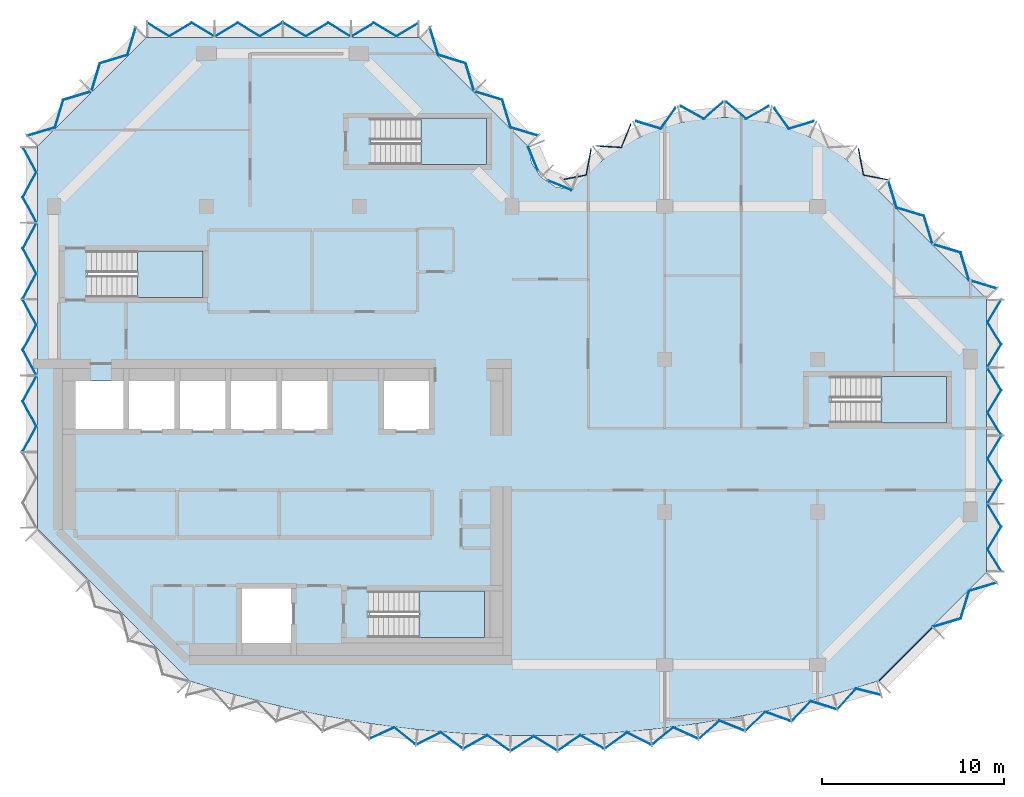
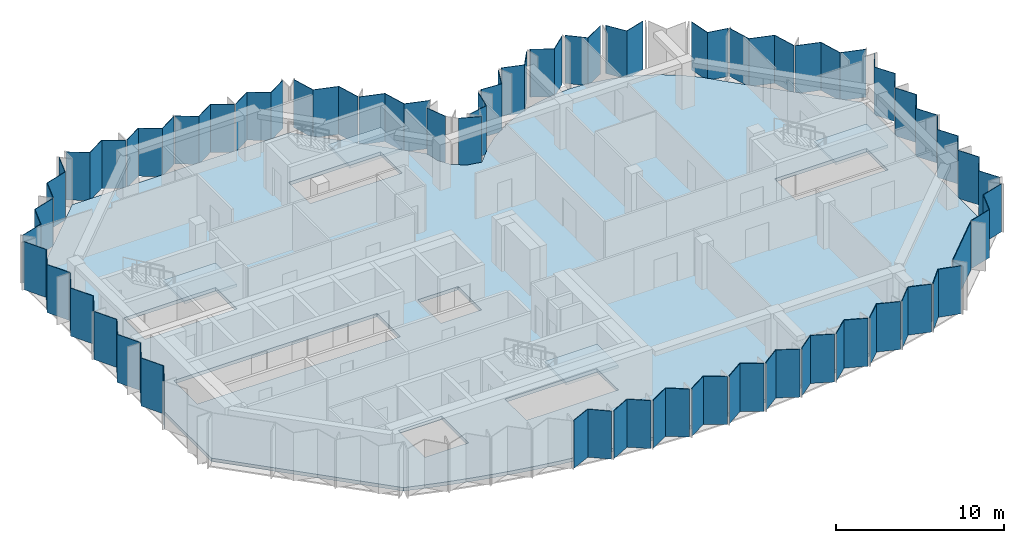
# One storey, part 3 of 10: 40 plates, 5 slabs, 14 elements without a shape of their own.
"""IFC4 building model written with IfcOpenShell, lengths in metres."""

from ifc_helpers import new_model, si_unit, direction, frame, origin, place, context, subcontext, project, spatial, polyline, outline, extrude, material, layer, layer_set, type_object, element, aggregate, save


model = new_model("IFC4")

# Units and contexts
model_context = context("Model", 3, precision=1e-05, world=origin(), true_north=direction((0.0, 1.0)))
body_context = subcontext(model_context, "Body", "Model", "MODEL_VIEW")
ifc_project = project(units=[si_unit("LENGTHUNIT", "METRE"), si_unit("AREAUNIT", "SQUARE_METRE"), si_unit("VOLUMEUNIT", "CUBIC_METRE"), si_unit("PLANEANGLEUNIT", "RADIAN"), si_unit("MASSUNIT", "GRAM", prefix="KILO")], contexts=[model_context])

# Site, building, storey
site_placement = place(None, origin())
site = spatial("IfcSite", under=ifc_project, at=site_placement, CompositionType="ELEMENT")
building_placement = place(site_placement, origin())
building = spatial("IfcBuilding", under=site, at=building_placement, Name="Brevane Broadcast Tower", CompositionType="ELEMENT")
storey_placement = place(building_placement, frame((0.0, 0.0, 230.10009765625)))
storey = spatial("IfcBuildingStorey", under=building, at=storey_placement, Name="L58", CompositionType="ELEMENT", Elevation=230.10009765625)

# Curtain wall, plates
ifc_material_1 = material(Name="Aluminium 6063-T6 bronze anodised", Category="aluminium")
curtain_wall_type = type_object("IfcCurtainWallType", Name="CW-1 curtain wall", PredefinedType="NOTDEFINED", material=ifc_material_1)
curtain_wall_1_placement = place(storey_placement, origin())
curtain_wall_1 = element("IfcCurtainWall", 1, at=curtain_wall_1_placement, inside=storey, type_object=curtain_wall_type, Name="CW-1 typical tilted unit L58 south bow", PredefinedType="NOTDEFINED")
ifc_material_2 = material(Name="Laminated glass bronze-tinted", Category="glass")
ifc_layer_1 = layer(ifc_material_2, 0.0400390625)
ifc_layer_set_1 = layer_set([ifc_layer_1], Name="CW tall glass panel 40")
plate_type = type_object("IfcPlateType", Name="CW tall glass panel 40", PredefinedType="CURTAIN_PANEL", material=ifc_layer_set_1)
plate_1_placement = place(storey_placement, frame((0.0, 0.0, -0.150146484375)))
plate_1 = element("IfcPlate", 2, at=plate_1_placement, type_object=plate_type, Name="CW-1 glass panel", PredefinedType="CURTAIN_PANEL", context=body_context, shape_type="SweptSolid", body=[
    extrude(outline(polyline([(17.424072265625, -4.021728515625), (17.4169921875, -4.06884765625), (18.72705078125, -3.47265625), (19.8466796875, -4.37451171875), (19.851806640625, -4.3271484375), (18.73291015625, -3.426025390625), (17.424072265625, -4.021728515625)])), origin(), (0.0, 0.0, 1.0), 3.5),
])
plate_2_placement = place(storey_placement, frame((0.0, 0.0, -0.150146484375)))
plate_2 = element("IfcPlate", 3, at=plate_2_placement, type_object=plate_type, Name="CW-1 glass panel", PredefinedType="CURTAIN_PANEL", context=body_context, shape_type="SweptSolid", body=[
    extrude(outline(polyline([(19.998046875, -4.3466796875), (19.992919921875, -4.39404296875), (21.27734375, -3.741943359375), (22.43359375, -4.594482421875), (22.4365234375, -4.547119140625), (21.28125, -3.695068359375), (19.998046875, -4.3466796875)])), origin(), (0.0, 0.0, 1.0), 3.5),
])
plate_3_placement = place(storey_placement, frame((0.0, 0.0, -0.150146484375)))
plate_3 = element("IfcPlate", 4, at=plate_3_placement, type_object=plate_type, Name="CW-1 glass panel", PredefinedType="CURTAIN_PANEL", context=body_context, shape_type="SweptSolid", body=[
    extrude(outline(polyline([(22.58349609375, -4.563720703125), (22.580322265625, -4.611083984375), (23.836669921875, -3.904541015625), (25.02783203125, -4.706787109375), (25.02880859375, -4.6591796875), (23.83837890625, -3.857666015625), (22.58349609375, -4.563720703125)])), origin(), (0.0, 0.0, 1.0), 3.5),
])
plate_4_placement = place(storey_placement, frame((0.0, 0.0, -0.150146484375)))
plate_4 = element("IfcPlate", 5, at=plate_4_placement, type_object=plate_type, Name="CW-1 glass panel", PredefinedType="CURTAIN_PANEL", context=body_context, shape_type="SweptSolid", body=[
    extrude(outline(polyline([(25.176025390625, -4.67236328125), (25.175048828125, -4.719970703125), (26.4052734375, -3.958984375), (27.634033203125, -4.70849609375), (27.633056640625, -4.6611328125), (26.4052734375, -3.912109375), (25.176025390625, -4.67236328125)])), origin(), (0.0, 0.0, 1.0), 3.5),
])
plate_5_placement = place(storey_placement, frame((0.0, 0.0, -0.150146484375)))
plate_5 = element("IfcPlate", 6, at=plate_5_placement, type_object=plate_type, Name="CW-1 glass panel", PredefinedType="CURTAIN_PANEL", context=body_context, shape_type="SweptSolid", body=[
    extrude(outline(polyline([(27.76171875, -4.65966796875), (27.7626953125, -4.70703125), (28.958740234375, -3.90478515625), (30.219482421875, -4.611083984375), (30.216552734375, -4.563720703125), (28.956787109375, -3.85791015625), (27.76171875, -4.65966796875)])), origin(), (0.0, 0.0, 1.0), 3.5),
])
plate_6_placement = place(storey_placement, frame((0.0, 0.0, -0.150146484375)))
plate_6 = element("IfcPlate", 7, at=plate_6_placement, type_object=plate_type, Name="CW-1 glass panel", PredefinedType="CURTAIN_PANEL", context=body_context, shape_type="SweptSolid", body=[
    extrude(outline(polyline([(30.36328125, -4.547119140625), (30.366455078125, -4.594482421875), (31.522705078125, -3.741943359375), (32.806884765625, -4.39404296875), (32.802001953125, -4.3466796875), (31.518798828125, -3.695068359375), (30.36328125, -4.547119140625)])), origin(), (0.0, 0.0, 1.0), 3.5),
])
plate_7_placement = place(storey_placement, frame((0.0, 0.0, -0.150146484375)))
plate_7 = element("IfcPlate", 8, at=plate_7_placement, type_object=plate_type, Name="CW-1 glass panel", PredefinedType="CURTAIN_PANEL", context=body_context, shape_type="SweptSolid", body=[
    extrude(outline(polyline([(32.9482421875, -4.3271484375), (32.953369140625, -4.37451171875), (34.072998046875, -3.47265625), (35.383056640625, -4.06884765625), (35.3759765625, -4.021728515625), (34.067138671875, -3.426025390625), (32.9482421875, -4.3271484375)])), origin(), (0.0, 0.0, 1.0), 3.5),
])
plate_8_placement = place(storey_placement, frame((0.0, 0.0, -0.150146484375)))
plate_8 = element("IfcPlate", 9, at=plate_8_placement, type_object=plate_type, Name="CW-1 glass panel", PredefinedType="CURTAIN_PANEL", context=body_context, shape_type="SweptSolid", body=[
    extrude(outline(polyline([(35.521728515625, -3.99951171875), (35.52880859375, -4.04638671875), (36.60986328125, -3.09716796875), (37.943115234375, -3.63671875), (37.93408203125, -3.58984375), (36.60205078125, -3.05078125), (35.521728515625, -3.99951171875)])), origin(), (0.0, 0.0, 1.0), 3.5),
])
plate_9_placement = place(storey_placement, frame((0.0, 0.0, -0.150146484375)))
plate_9 = element("IfcPlate", 10, at=plate_9_placement, type_object=plate_type, Name="CW-1 glass panel", PredefinedType="CURTAIN_PANEL", context=body_context, shape_type="SweptSolid", body=[
    extrude(outline(polyline([(38.07958984375, -3.564453125), (38.08837890625, -3.611328125), (39.128662109375, -2.615966796875), (40.48291015625, -3.09765625), (40.471923828125, -3.051513671875), (39.118896484375, -2.570068359375), (38.07958984375, -3.564453125)])), origin(), (0.0, 0.0, 1.0), 3.5),
])
plate_10_placement = place(storey_placement, frame((0.0, 0.0, -0.150146484375)))
plate_10 = element("IfcPlate", 11, at=plate_10_placement, type_object=plate_type, Name="CW-1 glass panel", PredefinedType="CURTAIN_PANEL", context=body_context, shape_type="SweptSolid", body=[
    extrude(outline(polyline([(40.61669921875, -3.023193359375), (40.627685546875, -3.069580078125), (41.62548828125, -2.030029296875), (42.997802734375, -2.453369140625), (42.985107421875, -2.407470703125), (41.613525390625, -1.984619140625), (40.61669921875, -3.023193359375)])), origin(), (0.0, 0.0, 1.0), 3.5),
])
plate_11_placement = place(storey_placement, frame((0.0, 0.0, -0.150146484375)))
plate_11 = element("IfcPlate", 12, at=plate_11_placement, type_object=plate_type, Name="CW-1 glass panel", PredefinedType="CURTAIN_PANEL", context=body_context, shape_type="SweptSolid", body=[
    extrude(outline(polyline([(43.12939453125, -2.376220703125), (43.14208984375, -2.421875), (44.114013671875, -1.334716796875), (45.501220703125, -1.68798828125), (45.48779296875, -1.643310546875), (44.100341796875, -1.289794921875), (43.12939453125, -2.376220703125)])), origin(), (0.0, 0.0, 1.0), 3.5),
])
aggregate(curtain_wall_1, [plate_1, plate_2, plate_3, plate_4, plate_5, plate_6, plate_7, plate_8, plate_9, plate_10, plate_11])

curtain_wall_2_placement = place(storey_placement, origin())
curtain_wall_2 = element("IfcCurtainWall", 13, at=curtain_wall_2_placement, inside=storey, type_object=curtain_wall_type, Name="CW-1 typical tilted unit L58 south-east chamfer", PredefinedType="NOTDEFINED")
plate_12_placement = place(storey_placement, frame((0.0, 0.0, -0.150146484375)))
plate_12 = element("IfcPlate", 14, at=plate_12_placement, type_object=plate_type, Name="CW-1 glass panel", PredefinedType="CURTAIN_PANEL", context=body_context, shape_type="SweptSolid", body=[
    extrude(outline(polyline([(45.345947265625, -0.896484375), (48.29638671875, 2.053955078125), (48.32470703125, 2.02587890625), (45.374267578125, -0.9248046875), (45.345947265625, -0.896484375)])), origin(), (0.0, 0.0, 1.0), 3.5),
])
plate_13_placement = place(storey_placement, frame((0.0, 0.0, -0.150146484375)))
plate_13 = element("IfcPlate", 15, at=plate_13_placement, type_object=plate_type, Name="CW-1 glass panel", PredefinedType="CURTAIN_PANEL", context=body_context, shape_type="SweptSolid", body=[
    extrude(outline(polyline([(48.343994140625, 2.10546875), (48.376220703125, 2.073486328125), (49.885986328125, 2.530517578125), (50.343017578125, 4.040283203125), (51.85302734375, 4.49755859375), (51.82080078125, 4.529541015625), (50.31103515625, 4.072509765625), (49.85400390625, 2.5625), (48.343994140625, 2.10546875)])), origin(), (0.0, 0.0, 1.0), 3.5),
])
aggregate(curtain_wall_2, [plate_12, plate_13])

curtain_wall_3_placement = place(storey_placement, origin())
curtain_wall_3 = element("IfcCurtainWall", 16, at=curtain_wall_3_placement, inside=storey, type_object=curtain_wall_type, Name="CW-1 typical tilted unit L58 east end", PredefinedType="NOTDEFINED")
plate_14_placement = place(storey_placement, frame((0.0, 0.0, -0.150146484375)))
plate_14 = element("IfcPlate", 17, at=plate_14_placement, type_object=plate_type, Name="CW-1 glass panel", PredefinedType="CURTAIN_PANEL", context=body_context, shape_type="SweptSolid", body=[
    extrude(outline(polyline([(52.071044921875, 5.135009765625), (52.117919921875, 5.135009765625), (51.373291015625, 6.36181640625), (52.117919921875, 7.58837890625), (51.373291015625, 8.81494140625), (51.32666015625, 8.81494140625), (52.071044921875, 7.58837890625), (51.32666015625, 6.36181640625), (52.071044921875, 5.135009765625)])), origin(), (0.0, 0.0, 1.0), 3.5),
])
plate_15_placement = place(storey_placement, frame((0.0, 0.0, -0.150146484375)))
plate_15 = element("IfcPlate", 18, at=plate_15_placement, type_object=plate_type, Name="CW-1 glass panel", PredefinedType="CURTAIN_PANEL", context=body_context, shape_type="SweptSolid", body=[
    extrude(outline(polyline([(51.32666015625, 8.885009765625), (51.373291015625, 8.885009765625), (52.117919921875, 10.11181640625), (51.373291015625, 11.33837890625), (52.117919921875, 12.56494140625), (52.071044921875, 12.56494140625), (51.32666015625, 11.33837890625), (52.071044921875, 10.11181640625), (51.32666015625, 8.885009765625)])), origin(), (0.0, 0.0, 1.0), 3.5),
])
plate_16_placement = place(storey_placement, frame((0.0, 0.0, -0.150146484375)))
plate_16 = element("IfcPlate", 19, at=plate_16_placement, type_object=plate_type, Name="CW-1 glass panel", PredefinedType="CURTAIN_PANEL", context=body_context, shape_type="SweptSolid", body=[
    extrude(outline(polyline([(52.071044921875, 12.635009765625), (52.117919921875, 12.635009765625), (51.373291015625, 13.86181640625), (52.117919921875, 15.08837890625), (51.373291015625, 16.31494140625), (51.32666015625, 16.31494140625), (52.071044921875, 15.08837890625), (51.32666015625, 13.86181640625), (52.071044921875, 12.635009765625)])), origin(), (0.0, 0.0, 1.0), 3.5),
])
plate_17_placement = place(storey_placement, frame((0.0, 0.0, -0.150146484375)))
plate_17 = element("IfcPlate", 20, at=plate_17_placement, type_object=plate_type, Name="CW-1 glass panel", PredefinedType="CURTAIN_PANEL", context=body_context, shape_type="SweptSolid", body=[
    extrude(outline(polyline([(51.32666015625, 16.385009765625), (51.373291015625, 16.385009765625), (52.117919921875, 17.61181640625), (51.373291015625, 18.83837890625), (52.117919921875, 20.06494140625), (52.071044921875, 20.06494140625), (51.32666015625, 18.83837890625), (52.071044921875, 17.61181640625), (51.32666015625, 16.385009765625)])), origin(), (0.0, 0.0, 1.0), 3.5),
])
aggregate(curtain_wall_3, [plate_14, plate_15, plate_16, plate_17])

curtain_wall_4_placement = place(storey_placement, origin())
curtain_wall_4 = element("IfcCurtainWall", 21, at=curtain_wall_4_placement, inside=storey, type_object=curtain_wall_type, Name="CW-1 typical tilted unit L58 north-east chamfer", PredefinedType="NOTDEFINED")
plate_18_placement = place(storey_placement, frame((0.0, 0.0, -0.150146484375)))
plate_18 = element("IfcPlate", 22, at=plate_18_placement, type_object=plate_type, Name="CW-1 glass panel", PredefinedType="CURTAIN_PANEL", context=body_context, shape_type="SweptSolid", body=[
    extrude(outline(polyline([(51.82080078125, 20.67041015625), (51.85302734375, 20.702392578125), (50.343017578125, 21.15966796875), (49.885986328125, 22.66943359375), (48.376220703125, 23.126708984375), (48.343994140625, 23.094482421875), (49.85400390625, 22.637451171875), (50.31103515625, 21.127685546875), (51.82080078125, 20.67041015625)])), origin(), (0.0, 0.0, 1.0), 3.5),
])
plate_19_placement = place(storey_placement, frame((0.0, 0.0, -0.150146484375)))
plate_19 = element("IfcPlate", 23, at=plate_19_placement, type_object=plate_type, Name="CW-1 glass panel", PredefinedType="CURTAIN_PANEL", context=body_context, shape_type="SweptSolid", body=[
    extrude(outline(polyline([(48.294677734375, 23.14404296875), (48.32666015625, 23.176025390625), (47.869384765625, 24.68603515625), (46.359619140625, 25.14306640625), (45.902587890625, 26.653076171875), (45.870361328125, 26.620849609375), (46.32763671875, 25.111083984375), (47.83740234375, 24.65380859375), (48.294677734375, 23.14404296875)])), origin(), (0.0, 0.0, 1.0), 3.5),
])
aggregate(curtain_wall_4, [plate_18, plate_19])

curtain_wall_5_placement = place(storey_placement, origin())
curtain_wall_5 = element("IfcCurtainWall", 24, at=curtain_wall_5_placement, inside=storey, type_object=curtain_wall_type, Name="CW-1 typical tilted unit L58 east bow", PredefinedType="NOTDEFINED")
plate_20_placement = place(storey_placement, frame((0.0, 0.0, -0.150146484375)))
plate_20 = element("IfcPlate", 25, at=plate_20_placement, type_object=plate_type, Name="CW-1 glass panel", PredefinedType="CURTAIN_PANEL", context=body_context, shape_type="SweptSolid", body=[
    extrude(outline(polyline([(45.79150390625, 26.656005859375), (45.82470703125, 26.690185546875), (44.539306640625, 26.9423828125), (44.263916015625, 28.3857421875), (44.231201171875, 28.34375), (44.5048828125, 26.908203125), (45.79150390625, 26.656005859375)])), origin(), (0.0, 0.0, 1.0), 3.5),
])
plate_21_placement = place(storey_placement, frame((0.0, 0.0, -0.150146484375)))
plate_21 = element("IfcPlate", 26, at=plate_21_placement, type_object=plate_type, Name="CW-1 glass panel", PredefinedType="CURTAIN_PANEL", context=body_context, shape_type="SweptSolid", body=[
    extrude(outline(polyline([(41.75537109375, 29.851806640625), (41.778564453125, 29.900634765625), (40.435546875, 29.494384765625), (39.6328125, 30.622802734375), (39.62060546875, 30.57080078125), (40.41943359375, 29.44775390625), (41.75537109375, 29.851806640625)])), origin(), (0.0, 0.0, 1.0), 3.5),
])
plate_22_placement = place(storey_placement, frame((0.0, 0.0, -0.150146484375)))
plate_22 = element("IfcPlate", 27, at=plate_22_placement, type_object=plate_type, Name="CW-1 glass panel", PredefinedType="CURTAIN_PANEL", context=body_context, shape_type="SweptSolid", body=[
    extrude(outline(polyline([(39.31640625, 30.68798828125), (39.328369140625, 30.740478515625), (38.069580078125, 30.036376953125), (37.008056640625, 30.94921875), (37.008056640625, 30.896484375), (38.064697265625, 29.98779296875), (39.31640625, 30.68798828125)])), origin(), (0.0, 0.0, 1.0), 3.5),
])
plate_23_placement = place(storey_placement, frame((0.0, 0.0, -0.150146484375)))
plate_23 = element("IfcPlate", 28, at=plate_23_placement, type_object=plate_type, Name="CW-1 glass panel", PredefinedType="CURTAIN_PANEL", context=body_context, shape_type="SweptSolid", body=[
    extrude(outline(polyline([(36.7919921875, 30.896484375), (36.7919921875, 30.94921875), (35.730224609375, 30.036376953125), (34.4716796875, 30.740478515625), (34.483642578125, 30.68798828125), (35.735107421875, 29.98779296875), (36.7919921875, 30.896484375)])), origin(), (0.0, 0.0, 1.0), 3.5),
])
plate_24_placement = place(storey_placement, frame((0.0, 0.0, -0.150146484375)))
plate_24 = element("IfcPlate", 29, at=plate_24_placement, type_object=plate_type, Name="CW-1 glass panel", PredefinedType="CURTAIN_PANEL", context=body_context, shape_type="SweptSolid", body=[
    extrude(outline(polyline([(34.17919921875, 30.57080078125), (34.167236328125, 30.622802734375), (33.364501953125, 29.494384765625), (32.021484375, 29.900634765625), (32.044677734375, 29.851806640625), (33.380615234375, 29.44775390625), (34.17919921875, 30.57080078125)])), origin(), (0.0, 0.0, 1.0), 3.5),
])
plate_25_placement = place(storey_placement, frame((0.0, 0.0, -0.150146484375)))
plate_25 = element("IfcPlate", 30, at=plate_25_placement, type_object=plate_type, Name="CW-1 glass panel", PredefinedType="CURTAIN_PANEL", context=body_context, shape_type="SweptSolid", body=[
    extrude(outline(polyline([(31.753173828125, 29.712890625), (31.729736328125, 29.76171875), (31.198486328125, 28.462890625), (29.816650390625, 28.551025390625), (29.849609375, 28.5087890625), (31.224609375, 28.42138671875), (31.753173828125, 29.712890625)])), origin(), (0.0, 0.0, 1.0), 3.5),
])
plate_26_placement = place(storey_placement, frame((0.0, 0.0, -0.150146484375)))
plate_26 = element("IfcPlate", 31, at=plate_26_placement, type_object=plate_type, Name="CW-1 glass panel", PredefinedType="CURTAIN_PANEL", context=body_context, shape_type="SweptSolid", body=[
    extrude(outline(polyline([(29.568603515625, 28.34375), (29.535888671875, 28.3857421875), (29.2607421875, 26.9423828125), (27.975341796875, 26.690185546875), (28.008544921875, 26.656005859375), (29.294921875, 26.908203125), (29.568603515625, 28.34375)])), origin(), (0.0, 0.0, 1.0), 3.5),
])
aggregate(curtain_wall_5, [plate_20, plate_21, plate_22, plate_23, plate_24, plate_25, plate_26])

curtain_wall_6_placement = place(storey_placement, origin())
curtain_wall_6 = element("IfcCurtainWall", 32, at=curtain_wall_6_placement, inside=storey, type_object=curtain_wall_type, Name="CW-1 typical tilted unit L58 inner corner", PredefinedType="NOTDEFINED")
plate_27_placement = place(storey_placement, frame((0.0, 0.0, -0.150146484375)))
plate_27 = element("IfcPlate", 33, at=plate_27_placement, type_object=plate_type, Name="CW-1 glass panel", PredefinedType="CURTAIN_PANEL", context=body_context, shape_type="SweptSolid", body=[
    extrude(outline(polyline([(28.45166015625, 26.07470703125), (28.466796875, 26.111572265625), (27.2021484375, 26.635498046875), (27.17138671875, 26.60498046875), (28.45166015625, 26.07470703125)])), origin(), (0.0, 0.0, 1.0), 3.5),
])
plate_28_placement = place(storey_placement, frame((0.0, 0.0, -0.150146484375)))
plate_28 = element("IfcPlate", 34, at=plate_28_placement, type_object=plate_type, Name="CW-1 glass panel", PredefinedType="CURTAIN_PANEL", context=body_context, shape_type="SweptSolid", body=[
    extrude(outline(polyline([(26.60498046875, 27.17138671875), (26.635498046875, 27.2021484375), (26.111572265625, 28.466796875), (26.07470703125, 28.45166015625), (26.60498046875, 27.17138671875)])), origin(), (0.0, 0.0, 1.0), 3.5),
])
aggregate(curtain_wall_6, [plate_27, plate_28])

curtain_wall_7_placement = place(storey_placement, origin())
curtain_wall_7 = element("IfcCurtainWall", 35, at=curtain_wall_7_placement, inside=storey, type_object=curtain_wall_type, Name="CW-1 typical tilted unit L58 north arm north-east chamfer", PredefinedType="NOTDEFINED")
plate_29_placement = place(storey_placement, frame((0.0, 0.0, -0.150146484375)))
plate_29 = element("IfcPlate", 36, at=plate_29_placement, type_object=plate_type, Name="CW-1 glass panel", PredefinedType="CURTAIN_PANEL", context=body_context, shape_type="SweptSolid", body=[
    extrude(outline(polyline([(26.620849609375, 29.0703125), (26.653076171875, 29.1025390625), (25.14306640625, 29.5595703125), (24.68603515625, 31.069580078125), (23.176025390625, 31.526611328125), (23.14404296875, 31.49462890625), (24.65380859375, 31.037353515625), (25.111083984375, 29.527587890625), (26.620849609375, 29.0703125)])), origin(), (0.0, 0.0, 1.0), 3.5),
])
plate_30_placement = place(storey_placement, frame((0.0, 0.0, -0.150146484375)))
plate_30 = element("IfcPlate", 37, at=plate_30_placement, type_object=plate_type, Name="CW-1 glass panel", PredefinedType="CURTAIN_PANEL", context=body_context, shape_type="SweptSolid", body=[
    extrude(outline(polyline([(23.094482421875, 31.544189453125), (23.126708984375, 31.576171875), (22.66943359375, 33.0859375), (21.15966796875, 33.543212890625), (20.702392578125, 35.052978515625), (20.67041015625, 35.02099609375), (21.127685546875, 33.510986328125), (22.637451171875, 33.053955078125), (23.094482421875, 31.544189453125)])), origin(), (0.0, 0.0, 1.0), 3.5),
])
aggregate(curtain_wall_7, [plate_29, plate_30])

curtain_wall_8_placement = place(storey_placement, origin())
curtain_wall_8 = element("IfcCurtainWall", 38, at=curtain_wall_8_placement, inside=storey, type_object=curtain_wall_type, Name="CW-1 typical tilted unit L58 north end", PredefinedType="NOTDEFINED")
plate_31_placement = place(storey_placement, frame((0.0, 0.0, -0.150146484375)))
plate_31 = element("IfcPlate", 39, at=plate_31_placement, type_object=plate_type, Name="CW-1 glass panel", PredefinedType="CURTAIN_PANEL", context=body_context, shape_type="SweptSolid", body=[
    extrude(outline(polyline([(20.06494140625, 35.27099609375), (20.06494140625, 35.31787109375), (18.83837890625, 34.573486328125), (17.61181640625, 35.31787109375), (16.385009765625, 34.573486328125), (16.385009765625, 34.526611328125), (17.61181640625, 35.27099609375), (18.83837890625, 34.526611328125), (20.06494140625, 35.27099609375)])), origin(), (0.0, 0.0, 1.0), 3.5),
])
plate_32_placement = place(storey_placement, frame((0.0, 0.0, -0.150146484375)))
plate_32 = element("IfcPlate", 40, at=plate_32_placement, type_object=plate_type, Name="CW-1 glass panel", PredefinedType="CURTAIN_PANEL", context=body_context, shape_type="SweptSolid", body=[
    extrude(outline(polyline([(16.31494140625, 34.526611328125), (16.31494140625, 34.573486328125), (15.08837890625, 35.31787109375), (13.86181640625, 34.573486328125), (12.635009765625, 35.31787109375), (12.635009765625, 35.27099609375), (13.86181640625, 34.526611328125), (15.08837890625, 35.27099609375), (16.31494140625, 34.526611328125)])), origin(), (0.0, 0.0, 1.0), 3.5),
])
plate_33_placement = place(storey_placement, frame((0.0, 0.0, -0.150146484375)))
plate_33 = element("IfcPlate", 41, at=plate_33_placement, type_object=plate_type, Name="CW-1 glass panel", PredefinedType="CURTAIN_PANEL", context=body_context, shape_type="SweptSolid", body=[
    extrude(outline(polyline([(12.56494140625, 35.27099609375), (12.56494140625, 35.31787109375), (11.33837890625, 34.573486328125), (10.11181640625, 35.31787109375), (8.885009765625, 34.573486328125), (8.885009765625, 34.526611328125), (10.11181640625, 35.27099609375), (11.33837890625, 34.526611328125), (12.56494140625, 35.27099609375)])), origin(), (0.0, 0.0, 1.0), 3.5),
])
plate_34_placement = place(storey_placement, frame((0.0, 0.0, -0.150146484375)))
plate_34 = element("IfcPlate", 42, at=plate_34_placement, type_object=plate_type, Name="CW-1 glass panel", PredefinedType="CURTAIN_PANEL", context=body_context, shape_type="SweptSolid", body=[
    extrude(outline(polyline([(8.81494140625, 34.526611328125), (8.81494140625, 34.573486328125), (7.58837890625, 35.31787109375), (6.36181640625, 34.573486328125), (5.135009765625, 35.31787109375), (5.135009765625, 35.27099609375), (6.36181640625, 34.526611328125), (7.58837890625, 35.27099609375), (8.81494140625, 34.526611328125)])), origin(), (0.0, 0.0, 1.0), 3.5),
])
aggregate(curtain_wall_8, [plate_31, plate_32, plate_33, plate_34])

curtain_wall_9_placement = place(storey_placement, origin())
curtain_wall_9 = element("IfcCurtainWall", 43, at=curtain_wall_9_placement, inside=storey, type_object=curtain_wall_type, Name="CW-1 typical tilted unit L58 north-west chamfer", PredefinedType="NOTDEFINED")
plate_35_placement = place(storey_placement, frame((0.0, 0.0, -0.150146484375)))
plate_35 = element("IfcPlate", 44, at=plate_35_placement, type_object=plate_type, Name="CW-1 glass panel", PredefinedType="CURTAIN_PANEL", context=body_context, shape_type="SweptSolid", body=[
    extrude(outline(polyline([(4.529541015625, 35.02099609375), (4.49755859375, 35.052978515625), (4.040283203125, 33.543212890625), (2.530517578125, 33.0859375), (2.073486328125, 31.576171875), (2.10546875, 31.544189453125), (2.5625, 33.053955078125), (4.072509765625, 33.510986328125), (4.529541015625, 35.02099609375)])), origin(), (0.0, 0.0, 1.0), 3.5),
])
plate_36_placement = place(storey_placement, frame((0.0, 0.0, -0.150146484375)))
plate_36 = element("IfcPlate", 45, at=plate_36_placement, type_object=plate_type, Name="CW-1 glass panel", PredefinedType="CURTAIN_PANEL", context=body_context, shape_type="SweptSolid", body=[
    extrude(outline(polyline([(2.055908203125, 31.49462890625), (2.02392578125, 31.526611328125), (0.513916015625, 31.069580078125), (0.056884765625, 29.5595703125), (-1.452880859375, 29.1025390625), (-1.4208984375, 29.0703125), (0.0888671875, 29.527587890625), (0.546142578125, 31.037353515625), (2.055908203125, 31.49462890625)])), origin(), (0.0, 0.0, 1.0), 3.5),
])
aggregate(curtain_wall_9, [plate_35, plate_36])

curtain_wall_10_placement = place(storey_placement, origin())
curtain_wall_10 = element("IfcCurtainWall", 46, at=curtain_wall_10_placement, inside=storey, type_object=curtain_wall_type, Name="CW-1 typical tilted unit L58 west face", PredefinedType="NOTDEFINED")
plate_37_placement = place(storey_placement, frame((0.0, 0.0, -0.150146484375)))
plate_37 = element("IfcPlate", 47, at=plate_37_placement, type_object=plate_type, Name="CW-1 glass panel", PredefinedType="CURTAIN_PANEL", context=body_context, shape_type="SweptSolid", body=[
    extrude(outline(polyline([(-1.671630859375, 28.465087890625), (-1.717041015625, 28.465087890625), (-0.97265625, 27.08837890625), (-1.717041015625, 25.711669921875), (-0.97265625, 24.3349609375), (-0.92724609375, 24.3349609375), (-1.671630859375, 25.711669921875), (-0.92724609375, 27.08837890625), (-1.671630859375, 28.465087890625)])), origin(), (0.0, 0.0, 1.0), 3.5),
])
plate_38_placement = place(storey_placement, frame((0.0, 0.0, -0.150146484375)))
plate_38 = element("IfcPlate", 48, at=plate_38_placement, type_object=plate_type, Name="CW-1 glass panel", PredefinedType="CURTAIN_PANEL", context=body_context, shape_type="SweptSolid", body=[
    extrude(outline(polyline([(-0.92724609375, 24.264892578125), (-0.97265625, 24.264892578125), (-1.717041015625, 22.88818359375), (-0.97265625, 21.51171875), (-1.717041015625, 20.135009765625), (-1.671630859375, 20.135009765625), (-0.92724609375, 21.51171875), (-1.671630859375, 22.88818359375), (-0.92724609375, 24.264892578125)])), origin(), (0.0, 0.0, 1.0), 3.5),
])
plate_39_placement = place(storey_placement, frame((0.0, 0.0, -0.150146484375)))
plate_39 = element("IfcPlate", 49, at=plate_39_placement, type_object=plate_type, Name="CW-1 glass panel", PredefinedType="CURTAIN_PANEL", context=body_context, shape_type="SweptSolid", body=[
    extrude(outline(polyline([(-1.671630859375, 20.06494140625), (-1.717041015625, 20.06494140625), (-0.97265625, 18.688232421875), (-1.717041015625, 17.311767578125), (-0.97265625, 15.93505859375), (-0.92724609375, 15.93505859375), (-1.671630859375, 17.311767578125), (-0.92724609375, 18.688232421875), (-1.671630859375, 20.06494140625)])), origin(), (0.0, 0.0, 1.0), 3.5),
])
plate_40_placement = place(storey_placement, frame((0.0, 0.0, -0.150146484375)))
plate_40 = element("IfcPlate", 50, at=plate_40_placement, type_object=plate_type, Name="CW-1 glass panel", PredefinedType="CURTAIN_PANEL", context=body_context, shape_type="SweptSolid", body=[
    extrude(outline(polyline([(-0.92724609375, 15.864990234375), (-0.97265625, 15.864990234375), (-1.717041015625, 14.48828125), (-0.97265625, 13.11181640625), (-1.717041015625, 11.735107421875), (-1.671630859375, 11.735107421875), (-0.92724609375, 13.11181640625), (-1.671630859375, 14.48828125), (-0.92724609375, 15.864990234375)])), origin(), (0.0, 0.0, 1.0), 3.5),
])
aggregate(curtain_wall_10, [plate_37, plate_38, plate_39, plate_40])

# Stair, slab
ifc_material_3 = material(Name="Concrete C50/60", Category="concrete")
stair_type = type_object("IfcStairType", Name="Exit stair 22 risers", PredefinedType="HALF_TURN_STAIR", material=ifc_material_3)
stair_1_placement = place(storey_placement, origin())
stair_1 = element("IfcStair", 51, at=stair_1_placement, inside=storey, type_object=stair_type, Name="L58 Exit stair ST-1", PredefinedType="HALF_TURN_STAIR")
ifc_layer_2 = layer(ifc_material_3, 0.199951171875)
ifc_layer_set_2 = layer_set([ifc_layer_2], Name="Exit stair landing")
slab_type_1 = type_object("IfcSlabType", Name="Exit stair landing", PredefinedType="LANDING", material=ifc_layer_set_2)
slab_1_placement = place(storey_placement, frame((0.0, 0.0, 1.599853515625)))
slab_1 = element("IfcSlab", 52, at=slab_1_placement, type_object=slab_type_1, Name="ST-1 landing 1", PredefinedType="LANDING", context=body_context, shape_type="SweptSolid", body=[
    extrude(outline(polyline([(4.60009765625, 20.199951171875), (8.199951171875, 20.199951171875), (8.199951171875, 22.75), (4.60009765625, 22.75), (4.60009765625, 20.199951171875)])), origin(), (0.0, 0.0, 1.0), 0.199951171875),
])
aggregate(stair_1, [slab_1])

stair_2_placement = place(storey_placement, origin())
stair_2 = element("IfcStair", 53, at=stair_2_placement, inside=storey, type_object=stair_type, Name="L58 Exit stair ST-2", PredefinedType="HALF_TURN_STAIR")
slab_2_placement = place(storey_placement, frame((0.0, 0.0, 1.599853515625)))
slab_2 = element("IfcSlab", 54, at=slab_2_placement, type_object=slab_type_1, Name="ST-2 landing 1", PredefinedType="LANDING", context=body_context, shape_type="SweptSolid", body=[
    extrude(outline(polyline([(20.10009765625, 1.5), (23.699951171875, 1.5), (23.699951171875, 4.050048828125), (20.10009765625, 4.050048828125), (20.10009765625, 1.5)])), origin(), (0.0, 0.0, 1.0), 0.199951171875),
])
aggregate(stair_2, [slab_2])

stair_3_placement = place(storey_placement, origin())
stair_3 = element("IfcStair", 55, at=stair_3_placement, inside=storey, type_object=stair_type, Name="L58 Exit stair ST-3", PredefinedType="HALF_TURN_STAIR")
slab_3_placement = place(storey_placement, frame((0.0, 0.0, 1.599853515625)))
slab_3 = element("IfcSlab", 56, at=slab_3_placement, type_object=slab_type_1, Name="ST-3 landing 1", PredefinedType="LANDING", context=body_context, shape_type="SweptSolid", body=[
    extrude(outline(polyline([(20.199951171875, 27.5), (23.800048828125, 27.5), (23.800048828125, 30.050048828125), (20.199951171875, 30.050048828125), (20.199951171875, 27.5)])), origin(), (0.0, 0.0, 1.0), 0.199951171875),
])
aggregate(stair_3, [slab_3])

stair_4_placement = place(storey_placement, origin())
stair_4 = element("IfcStair", 57, at=stair_4_placement, inside=storey, type_object=stair_type, Name="L58 Exit stair ST-4", PredefinedType="HALF_TURN_STAIR")
slab_4_placement = place(storey_placement, frame((0.0, 0.0, 1.599853515625)))
slab_4 = element("IfcSlab", 58, at=slab_4_placement, type_object=slab_type_1, Name="ST-4 landing 1", PredefinedType="LANDING", context=body_context, shape_type="SweptSolid", body=[
    extrude(outline(polyline([(45.5, 13.300048828125), (49.10009765625, 13.300048828125), (49.10009765625, 15.85009765625), (45.5, 15.85009765625), (45.5, 13.300048828125)])), origin(), (0.0, 0.0, 1.0), 0.199951171875),
])
aggregate(stair_4, [slab_4])

# Slab
ifc_material_4 = material(Name="Concrete C40/50", Category="concrete")
ifc_layer_3 = layer(ifc_material_4, 0.25)
ifc_layer_set_3 = layer_set([ifc_layer_3], Name="RC FLOOR SLAB 250 C40/50")
slab_type_2 = type_object("IfcSlabType", Name="RC FLOOR SLAB 250 C40/50", PredefinedType="FLOOR", material=ifc_layer_set_3)
slab_5_placement = place(storey_placement, frame((0.0, 0.0, -0.25)))
element("IfcSlab", 59, at=slab_5_placement, inside=storey, type_object=slab_type_2, Name="SL250 L58", PredefinedType="FLOOR", context=body_context, shape_type="SweptSolid", body=[
    extrude(outline(polyline([(-0.89990234375, 7.5), (-0.89990234375, 28.5), (5.10009765625, 34.5), (20.10009765625, 34.5), (26.10009765625, 28.5), (26.28271484375, 27.58154296875), (26.802978515625, 26.802978515625), (27.58154296875, 26.28271484375), (28.5, 26.10009765625), (29.431396484375, 27.10888671875), (30.48291015625, 27.99169921875), (31.6376953125, 28.734130859375), (32.877197265625, 29.324462890625), (34.181640625, 29.7529296875), (35.52978515625, 30.012939453125), (36.89990234375, 30.10009765625), (38.270263671875, 30.012939453125), (39.618408203125, 29.7529296875), (40.922607421875, 29.324462890625), (42.162353515625, 28.734130859375), (43.317138671875, 27.99169921875), (44.36865234375, 27.10888671875), (45.300048828125, 26.10009765625), (51.300048828125, 20.10009765625), (51.300048828125, 5.10009765625), (45.300048828125, -0.89990234375), (43.990234375, -1.310302734375), (42.671630859375, -1.691162109375), (41.3447265625, -2.0419921875), (40.01025390625, -2.36328125), (38.6689453125, -2.654052734375), (37.3212890625, -2.9150390625), (35.96826171875, -3.145263671875), (34.6103515625, -3.34521484375), (33.248291015625, -3.5146484375), (31.8828125, -3.6533203125), (30.5146484375, -3.76123046875), (29.144287109375, -3.83837890625), (27.7724609375, -3.884521484375), (26.39990234375, -3.89990234375), (25.027587890625, -3.884521484375), (23.65576171875, -3.83837890625), (22.285400390625, -3.76123046875), (20.917236328125, -3.6533203125), (19.5517578125, -3.5146484375), (18.189697265625, -3.34521484375), (16.831787109375, -3.145263671875), (15.478759765625, -2.9150390625), (14.131103515625, -2.654052734375), (12.789794921875, -2.36328125), (11.455322265625, -2.0419921875), (10.12841796875, -1.691162109375), (8.809814453125, -1.310302734375), (7.5, -0.89990234375), (-0.89990234375, 7.5)]), holes=[polyline([(13.199951171875, 4.39990234375), (10.199951171875, 4.39990234375), (10.199951171875, 1.199951171875), (13.199951171875, 1.199951171875), (13.199951171875, 4.39990234375)]), polyline([(4.0, 15.60009765625), (1.199951171875, 15.60009765625), (1.199951171875, 12.800048828125), (4.0, 12.800048828125), (6.800048828125, 12.800048828125), (9.60009765625, 12.800048828125), (12.39990234375, 12.800048828125), (15.199951171875, 12.800048828125), (15.199951171875, 15.60009765625), (12.39990234375, 15.60009765625), (9.60009765625, 15.60009765625), (6.800048828125, 15.60009765625), (4.0, 15.60009765625)]), polyline([(1.860107421875, 22.75), (1.860107421875, 20.199951171875), (8.199951171875, 20.199951171875), (8.199951171875, 22.75), (1.860107421875, 22.75)]), polyline([(23.699951171875, 4.050048828125), (17.360107421875, 4.050048828125), (17.360107421875, 1.5), (23.699951171875, 1.5), (23.699951171875, 4.050048828125)]), polyline([(20.800048828125, 15.60009765625), (18.0, 15.60009765625), (18.0, 12.800048828125), (20.800048828125, 12.800048828125), (20.800048828125, 15.60009765625)]), polyline([(49.10009765625, 15.85009765625), (42.760009765625, 15.85009765625), (42.760009765625, 13.300048828125), (49.10009765625, 13.300048828125), (49.10009765625, 15.85009765625)]), polyline([(23.800048828125, 30.050048828125), (17.4599609375, 30.050048828125), (17.4599609375, 27.5), (23.800048828125, 27.5), (23.800048828125, 30.050048828125)])]), origin(), (0.0, 0.0, 1.0), 0.25),
])

save(model, "model.ifc")
